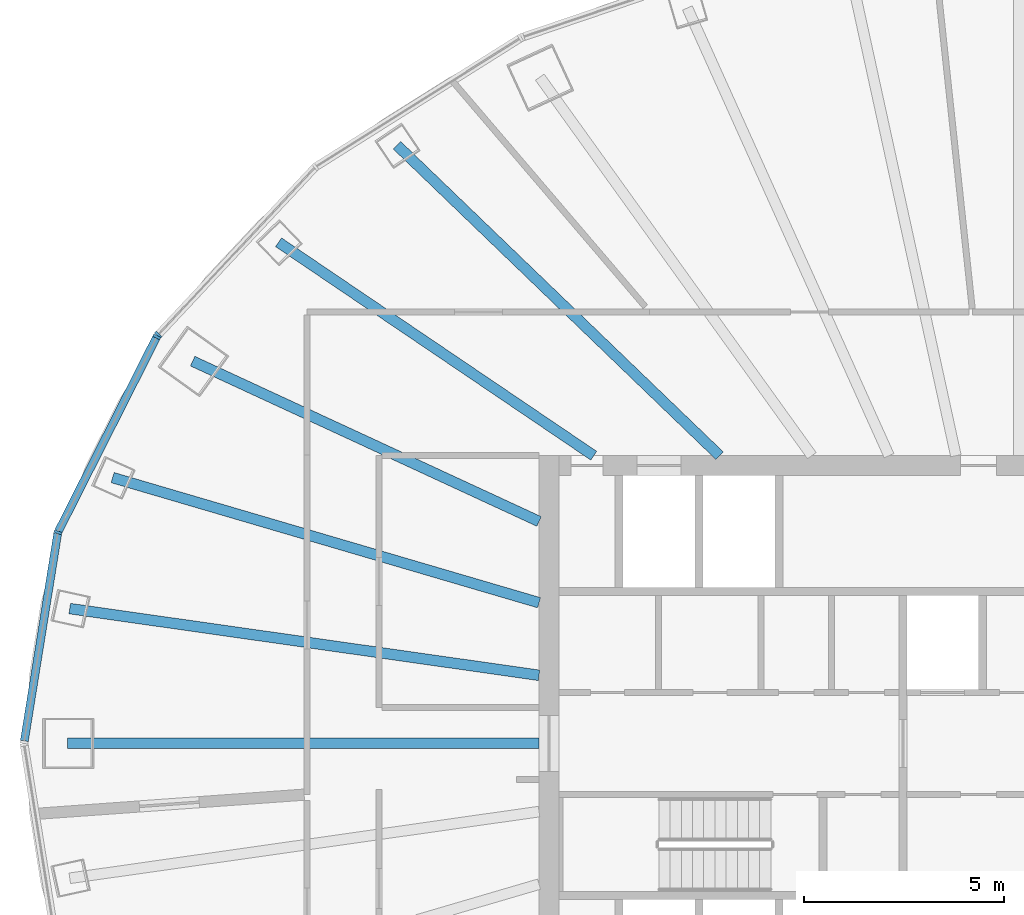
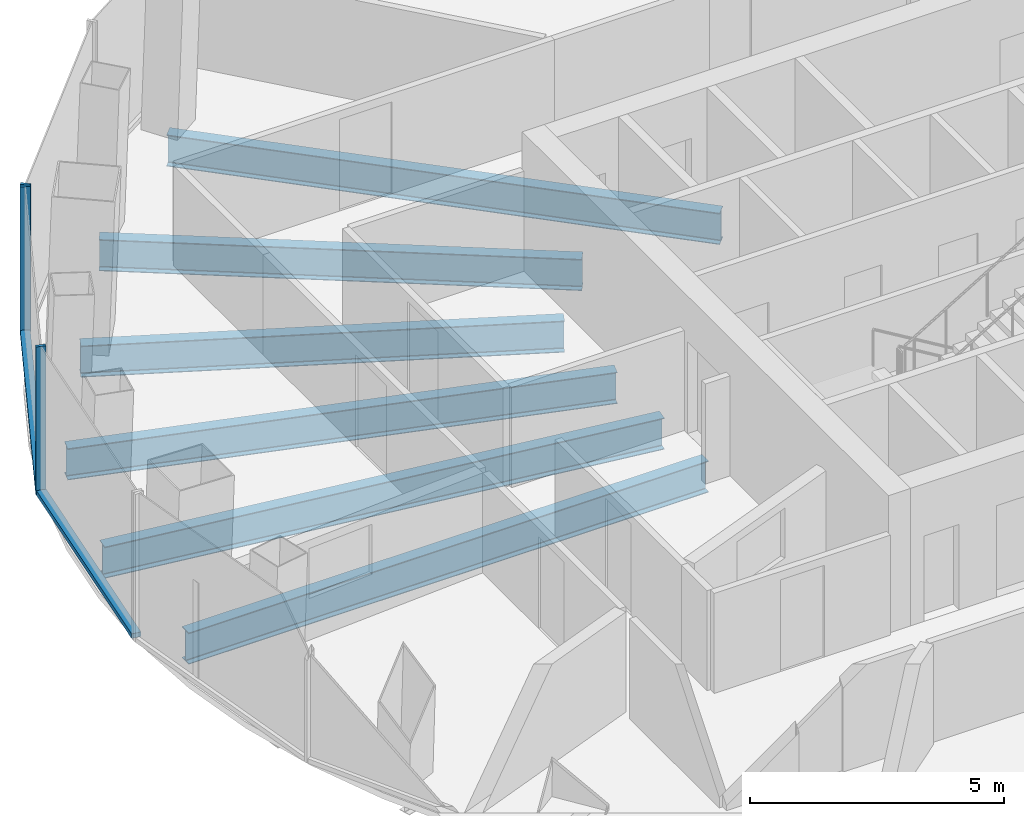
# One storey, part 3 of 12: 6 beams, 5 members, 2 elements without a shape of their own.
"""IFC4 building model written with IfcOpenShell, lengths in metres."""

import ifcopenshell
import ifcopenshell.guid

model = None  # the IFC model being written
_history = None  # IfcOwnerHistory: only IFC2X3 demands one
_inside = {}  # id of a spatial element -> (the spatial element, [elements in it])
_under = {}  # id of a project, library or spatial element -> (it, [spatial elements below it])
_declared = {}  # id of a project -> (the project, [libraries it declares])
_typed = {}  # id of a type object -> (the type object, [elements of that type])
_made_of = {}  # id of a material, layer set ... -> (it, [elements and type objects made of it])


def new_model(schema):
    """Start an empty IFC model of exactly this schema.

    Asked for "IFC4X3", IfcOpenShell would pick the latest addendum, in which some entities
    have other attributes; the version numbers below select the first issue.
    IFC2X3 requires an IfcOwnerHistory on every rooted entity: one is made here for all.
    """
    global model, _history
    if schema == "IFC4X3":
        model = ifcopenshell.file(schema_version=(4, 3, 0, 0))
    else:
        model = ifcopenshell.file(schema=schema)
    _inside.clear()
    _under.clear()
    _declared.clear()
    _typed.clear()
    _made_of.clear()
    _history = None
    if model.schema == "IFC2X3":
        org = make("IfcOrganization", Name="unknown")
        user = make(
            "IfcPersonAndOrganization",
            ThePerson=make("IfcPerson", FamilyName="unknown"),
            TheOrganization=org,
        )
        app = make(
            "IfcApplication",
            ApplicationDeveloper=org,
            Version="unknown",
            ApplicationFullName="unknown",
            ApplicationIdentifier="unknown",
        )
        _history = make(
            "IfcOwnerHistory",
            OwningUser=user,
            OwningApplication=app,
            ChangeAction="ADDED",
            CreationDate=0,
        )
    return model


def make(cls, **values):
    """One entity of the class cls with the attributes given. An attribute that is None is left unset."""
    return model.create_entity(
        cls, **{name: value for name, value in values.items() if value is not None}
    )


def rooted(cls, **values):
    """An entity with a GlobalId (a new one), such as an element, a storey or a relation."""
    return make(cls, GlobalId=ifcopenshell.guid.new(), OwnerHistory=_history, **values)


def si_unit(unit_type, name, prefix=None):
    """IfcSIUnit, for example si_unit("LENGTHUNIT", "METRE", prefix="MILLI")."""
    return make("IfcSIUnit", UnitType=unit_type, Prefix=prefix, Name=name)


def assignment(units):
    """IfcUnitAssignment: the units of a project."""
    return None if units is None else make("IfcUnitAssignment", Units=units)


def point(xyz):
    """IfcCartesianPoint."""
    return None if xyz is None else make("IfcCartesianPoint", Coordinates=xyz)


def direction(xyz):
    """IfcDirection."""
    return None if xyz is None else make("IfcDirection", DirectionRatios=xyz)


def frame(location, z_axis=None, x_axis=None):
    """IfcAxis2Placement3D, a coordinate frame: its origin and axes. An axis left out is left unset."""
    return make(
        "IfcAxis2Placement3D",
        Location=point(location),
        Axis=direction(z_axis),
        RefDirection=direction(x_axis),
    )


def frame_2d(location, x_axis=None):
    """IfcAxis2Placement2D, a coordinate frame in the plane: its origin and x axis."""
    return make(
        "IfcAxis2Placement2D", Location=point(location), RefDirection=direction(x_axis)
    )


def origin():
    """The frame at (0, 0, 0) with its axes left unset."""
    return frame((0.0, 0.0, 0.0))


def origin_2d():
    """The frame at (0, 0) in the plane with its x axis left unset."""
    return frame_2d((0.0, 0.0))


def place(relative_to, where):
    """IfcLocalPlacement: puts the frame where relative to a parent placement (None: the world)."""
    return make(
        "IfcLocalPlacement", PlacementRelTo=relative_to, RelativePlacement=where
    )


def context(
    kind, dimensions, precision=None, world=None, true_north=None, identifier=None
):
    """IfcGeometricRepresentationContext, for example the 3D "Model" context."""
    return make(
        "IfcGeometricRepresentationContext",
        ContextIdentifier=identifier,
        ContextType=kind,
        CoordinateSpaceDimension=dimensions,
        Precision=precision,
        WorldCoordinateSystem=world,
        TrueNorth=true_north,
    )


def subcontext(parent, identifier, kind, view, scale=None):
    """IfcGeometricRepresentationSubContext, for example "Body" below "Model"."""
    return make(
        "IfcGeometricRepresentationSubContext",
        ContextIdentifier=identifier,
        ContextType=kind,
        ParentContext=parent,
        TargetScale=scale,
        TargetView=view,
    )


def project(units=None, contexts=None):
    """IfcProject with its units and contexts."""
    return rooted(
        "IfcProject",
        Name="project",
        RepresentationContexts=contexts,
        UnitsInContext=assignment(units),
    )


def spatial(cls, under=None, at=None, **own):
    """A site, building, storey or space (cls), placed at a placement, below another one or the project."""
    s = rooted(cls, ObjectPlacement=at, **own)
    if under is not None:
        _under.setdefault(under.id(), (under, []))[1].append(s)
    return s


def profile(cls, at=None, kind="AREA", **sizes):
    """A parametric profile (cls). Its sizes go by their IFC names, for example OverallWidth=200.0."""
    return make(cls, ProfileType=kind, Position=at, **sizes)


def rectangle(**sizes):
    """IfcRectangleProfileDef."""
    return profile("IfcRectangleProfileDef", **sizes)


def i_section(**sizes):
    """IfcIShapeProfileDef."""
    return profile("IfcIShapeProfileDef", **sizes)


def extrude(swept, where, along, depth):
    """IfcExtrudedAreaSolid: the profile swept, set in the frame where, extruded along a direction by depth."""
    return make(
        "IfcExtrudedAreaSolid",
        SweptArea=swept,
        Position=where,
        ExtrudedDirection=direction(along),
        Depth=depth,
    )


def shape(context_of_items, identifier, shape_type, items):
    """IfcShapeRepresentation: the items that make up one representation, for example the "Body"."""
    return make(
        "IfcShapeRepresentation",
        ContextOfItems=context_of_items,
        RepresentationIdentifier=identifier,
        RepresentationType=shape_type,
        Items=items,
    )


def material(Name=None, Category=None):
    """IfcMaterial."""
    return make("IfcMaterial", Name=Name, Category=Category)


def layer(
    of_material, thickness, ventilated=None, Name=None, Category=None, Priority=None
):
    """IfcMaterialLayer: one layer of a wall or slab, of a material (None: an air gap)."""
    return make(
        "IfcMaterialLayer",
        Material=of_material,
        LayerThickness=thickness,
        IsVentilated=ventilated,
        Name=Name,
        Category=Category,
        Priority=Priority,
    )


def layer_set(layers, Name=None):
    """IfcMaterialLayerSet."""
    return make("IfcMaterialLayerSet", MaterialLayers=layers, LayerSetName=Name)


def material_profile(
    of_material, cross_section, Name=None, Category=None, Priority=None
):
    """IfcMaterialProfile: a cross section and its material."""
    return make(
        "IfcMaterialProfile",
        Name=Name,
        Material=of_material,
        Profile=cross_section,
        Priority=Priority,
        Category=Category,
    )


def profile_set(profiles, Name=None, composite=None):
    """IfcMaterialProfileSet."""
    return make(
        "IfcMaterialProfileSet",
        Name=Name,
        MaterialProfiles=profiles,
        CompositeProfile=composite,
    )


def made_of(thing, what):
    """Note that an element or type object is made of a material, layer set ...; save() writes the relation."""
    if what is not None:
        _made_of.setdefault(what.id(), (what, []))[1].append(thing)
    return thing


def type_object(cls, material=None, **own):
    """A type object (cls), such as IfcWallType, which elements share."""
    return made_of(rooted(cls, **own), material)


def element(
    cls,
    number,
    at=None,
    inside=None,
    cuts=None,
    type_object=None,
    material=None,
    context=None,
    identifier="Body",
    shape_type=None,
    held_by="IfcProductDefinitionShape",
    body=None,
    shapes=None,
    **own,
):
    """One element of the class cls, such as IfcWall. Its Tag is "e" and its number.

    at: its placement. inside: the storey or other place that contains it. cuts: it is an
    opening in that element (IfcRelVoidsElement). A single representation is given by context,
    identifier, shape_type and body (its items); several are given by shapes. held_by: the class
    of the entity that holds the representations. save() writes the other relations.
    """
    e = rooted(cls, Tag="e%d" % number, ObjectPlacement=at, **own)
    if body is not None:
        shapes = [shape(context, identifier, shape_type, body)]
    if shapes is not None:
        e.Representation = make(held_by, Representations=shapes)
    if inside is not None:
        _inside.setdefault(inside.id(), (inside, []))[1].append(e)
    if cuts is not None:
        rooted(
            "IfcRelVoidsElement", RelatingBuildingElement=cuts, RelatedOpeningElement=e
        )
    if type_object is not None:
        _typed.setdefault(type_object.id(), (type_object, []))[1].append(e)
    return made_of(e, material)


def aggregate(whole, parts):
    """IfcRelAggregates: a whole, such as a stair, and the parts it consists of."""
    return rooted("IfcRelAggregates", RelatingObject=whole, RelatedObjects=parts)


def save(model, path):
    """Write the relations noted so far, then the file.

    IfcRelAggregates (storeys below a building ...), IfcRelContainedInSpatialStructure (elements
    in a storey), IfcRelDefinesByType, IfcRelAssociatesMaterial and IfcRelDeclares: one each for
    every whole, place, type object, material and project.
    """
    for whole, parts in _under.values():
        aggregate(whole, parts)
    for where, things in _inside.values():
        rooted(
            "IfcRelContainedInSpatialStructure",
            RelatedElements=things,
            RelatingStructure=where,
        )
    for kind, things in _typed.values():
        rooted("IfcRelDefinesByType", RelatedObjects=things, RelatingType=kind)
    for what, things in _made_of.values():
        rooted("IfcRelAssociatesMaterial", RelatedObjects=things, RelatingMaterial=what)
    for by, libraries in _declared.values():
        rooted("IfcRelDeclares", RelatingContext=by, RelatedDefinitions=libraries)
    model.write(path)


model = new_model("IFC4")

# Units and contexts
model_context = context("Model", 3, precision=1e-05, world=origin(), true_north=direction((0.0, 1.0)))
body_context = subcontext(model_context, "Body", "Model", "MODEL_VIEW")
ifc_project = project(units=[si_unit("LENGTHUNIT", "METRE"), si_unit("AREAUNIT", "SQUARE_METRE"), si_unit("VOLUMEUNIT", "CUBIC_METRE"), si_unit("PLANEANGLEUNIT", "RADIAN"), si_unit("MASSUNIT", "GRAM", prefix="KILO")], contexts=[model_context])

# Site, building, storey
site_placement = place(None, origin())
site = spatial("IfcSite", under=ifc_project, at=site_placement, CompositionType="ELEMENT")
building_placement = place(site_placement, origin())
building = spatial("IfcBuilding", under=site, at=building_placement, Name="Siaravel Broadcast Tower", CompositionType="ELEMENT")
storey_placement = place(building_placement, frame((0.0, 0.0, 134.10009765625)))
storey = spatial("IfcBuildingStorey", under=building, at=storey_placement, Name="L32", CompositionType="ELEMENT", Elevation=134.10009765625)

# Beams
ifc_material_1 = material(Name="Steel S355", Category="steel")
ifc_material_profile_1 = material_profile(ifc_material_1, i_section(OverallWidth=0.26513671875, OverallDepth=0.75390625, WebThickness=0.0126953125, FlangeThickness=0.017578125, FilletRadius=0.0166015625, at=origin_2d()))
ifc_profile_set_1 = profile_set([ifc_material_profile_1], Name="Steel S355")
beam_type = type_object("IfcBeamType", Name="BM-UB 762x267x147", PredefinedType="BEAM", material=ifc_profile_set_1)
beam_1_placement = place(storey_placement, frame((-15.552978515625, 14.965576171875, -0.527099609375), z_axis=(0.720578335, -0.693373538, 0.0), x_axis=(0.693373538, 0.720578335, 0.0)))
element("IfcBeam", 1, at=beam_1_placement, inside=storey, type_object=beam_type, Name="Radial beam RB14", PredefinedType="BEAM", context=body_context, shape_type="SweptSolid", body=[
    extrude(i_section(OverallWidth=0.26513671875, OverallDepth=0.75390625, WebThickness=0.0126953125, FlangeThickness=0.017578125, FilletRadius=0.0166015625, at=origin_2d()), origin(), (0.0, 0.0, 1.0), 11.19970703125),
])
beam_2_placement = place(storey_placement, frame((-18.516357421875, 12.538330078125, -0.527099609375), z_axis=(0.82802046, -0.560697884, 0.0), x_axis=(0.560697884, 0.82802046, 0.0)))
element("IfcBeam", 2, at=beam_2_placement, inside=storey, type_object=beam_type, Name="Radial beam RB15", PredefinedType="BEAM", context=body_context, shape_type="SweptSolid", body=[
    extrude(i_section(OverallWidth=0.26513671875, OverallDepth=0.75390625, WebThickness=0.0126953125, FlangeThickness=0.017578125, FilletRadius=0.0166015625, at=origin_2d()), origin(), (0.0, 0.0, 1.0), 9.52099609375),
])
beam_3_placement = place(storey_placement, frame((-20.665771484375, 9.564697265625, -0.527099609375), z_axis=(0.907514375, -0.420021022, 0.0), x_axis=(0.420021022, 0.907514375, 0.0)))
element("IfcBeam", 3, at=beam_3_placement, inside=storey, type_object=beam_type, Name="Radial beam RB16", PredefinedType="BEAM", context=body_context, shape_type="SweptSolid", body=[
    extrude(i_section(OverallWidth=0.26513671875, OverallDepth=0.75390625, WebThickness=0.0126953125, FlangeThickness=0.017578125, FilletRadius=0.0166015625, at=origin_2d()), origin(), (0.0, 0.0, 1.0), 9.548828125),
])
beam_4_placement = place(storey_placement, frame((-22.668212890625, 6.651123046875, -0.527099609375), z_axis=(0.959549921, -0.281538539, 0.0), x_axis=(0.281538539, 0.959549921, 0.0)))
element("IfcBeam", 4, at=beam_4_placement, inside=storey, type_object=beam_type, Name="Radial beam RB17", PredefinedType="BEAM", context=body_context, shape_type="SweptSolid", body=[
    extrude(i_section(OverallWidth=0.26513671875, OverallDepth=0.75390625, WebThickness=0.0126953125, FlangeThickness=0.017578125, FilletRadius=0.0166015625, at=origin_2d()), origin(), (0.0, 0.0, 1.0), 11.117919921875),
])
beam_5_placement = place(storey_placement, frame((-23.740478515625, 3.37353515625, -0.527099609375), z_axis=(0.990052581, -0.140697859, 0.0), x_axis=(0.140697859, 0.990052581, 0.0)))
element("IfcBeam", 5, at=beam_5_placement, inside=storey, type_object=beam_type, Name="Radial beam RB18", PredefinedType="BEAM", context=body_context, shape_type="SweptSolid", body=[
    extrude(i_section(OverallWidth=0.26513671875, OverallDepth=0.75390625, WebThickness=0.0126953125, FlangeThickness=0.017578125, FilletRadius=0.0166015625, at=origin_2d()), origin(), (0.0, 0.0, 1.0), 11.8583984375),
])
beam_6_placement = place(storey_placement, frame((-23.801025390625, 0.0, -0.527099609375), z_axis=(1.0, 0.0, 0.0), x_axis=(0.0, 1.0, 0.0)))
element("IfcBeam", 6, at=beam_6_placement, inside=storey, type_object=beam_type, Name="Radial beam RB19", PredefinedType="BEAM", context=body_context, shape_type="SweptSolid", body=[
    extrude(i_section(OverallWidth=0.26513671875, OverallDepth=0.75390625, WebThickness=0.0126953125, FlangeThickness=0.017578125, FilletRadius=0.0166015625, at=origin_2d()), origin(), (0.0, 0.0, 1.0), 11.801025390625),
])

# Curtain wall, member
ifc_material_2 = material(Name="Aluminium 6063-T6", Category="aluminium")
ifc_layer = layer(ifc_material_2, 0.199951171875)
ifc_layer_set = layer_set([ifc_layer], Name="Aluminium 6063-T6")
curtain_wall_type = type_object("IfcCurtainWallType", Name="Unitised curtain wall, zone 2", PredefinedType="NOTDEFINED", material=ifc_layer_set)
curtain_wall_1_placement = place(storey_placement, origin())
curtain_wall_1 = element("IfcCurtainWall", 7, at=curtain_wall_1_placement, inside=storey, type_object=curtain_wall_type, Name="L32 Unitised curtain wall, zone 2 05", PredefinedType="NOTDEFINED")
ifc_material_profile_2 = material_profile(ifc_material_2, rectangle(XDim=0.199951171875, YDim=0.06494140625, at=origin_2d()))
ifc_profile_set_2 = profile_set([ifc_material_profile_2], Name="Aluminium 6063-T6")
member_type_1 = type_object("IfcMemberType", Name="CW-Z2 mullion", PredefinedType="MULLION", material=ifc_profile_set_2)
member_1_placement = place(storey_placement, frame((-21.528076171875, 10.224609375, 0.0), z_axis=(0.0, 0.0, 1.0), x_axis=(0.729806913, -0.683653326, 0.0)))
member_1 = element("IfcMember", 8, at=member_1_placement, type_object=member_type_1, Name="CW-Z2 mullion 3", PredefinedType="MULLION", context=body_context, shape_type="SweptSolid", body=[
    extrude(rectangle(XDim=0.199951171875, YDim=0.06494140625, at=origin_2d()), origin(), (0.0, 0.0, 1.0), 3.5498046875),
])
aggregate(curtain_wall_1, [member_1])

# Curtain wall, members
curtain_wall_2_placement = place(storey_placement, origin())
curtain_wall_2 = element("IfcCurtainWall", 9, at=curtain_wall_2_placement, inside=storey, type_object=curtain_wall_type, Name="L32 Unitised curtain wall, zone 2 06", PredefinedType="NOTDEFINED")
member_2_placement = place(storey_placement, frame((-21.56494140625, 10.172119140625, 0.0), z_axis=(0.0, 0.0, 1.0), x_axis=(0.892392954, -0.451259145, 0.0)))
member_2 = element("IfcMember", 10, at=member_2_placement, type_object=member_type_1, Name="CW-Z2 mullion 1", PredefinedType="MULLION", context=body_context, shape_type="SweptSolid", body=[
    extrude(rectangle(XDim=0.199951171875, YDim=0.06494140625, at=origin_2d()), origin(), (0.0, 0.0, 1.0), 3.5498046875),
])
member_3_placement = place(storey_placement, frame((-24.0380859375, 5.281005859375, 0.0), z_axis=(0.0, 0.0, 1.0), x_axis=(0.951177626, -0.308644007, 0.0)))
member_3 = element("IfcMember", 11, at=member_3_placement, type_object=member_type_1, Name="CW-Z2 mullion 2", PredefinedType="MULLION", context=body_context, shape_type="SweptSolid", body=[
    extrude(rectangle(XDim=0.199951171875, YDim=0.06494140625, at=origin_2d()), origin(), (0.0, 0.0, 1.0), 3.5498046875),
])
ifc_material_profile_3 = material_profile(ifc_material_2, rectangle(XDim=0.199951171875, YDim=0.110107421875, at=origin_2d()))
ifc_profile_set_3 = profile_set([ifc_material_profile_3], Name="Aluminium 6063-T6")
member_type_2 = type_object("IfcMemberType", Name="CW-Z2 transom", PredefinedType="USERDEFINED", material=ifc_profile_set_3)
member_4_placement = place(storey_placement, frame((-21.57958984375, 10.14306640625, 0.054931640625), z_axis=(-0.45124818, -0.892398498, 0.0), x_axis=(0.892398498, -0.45124818, 0.0)))
member_4 = element("IfcMember", 12, at=member_4_placement, type_object=member_type_2, Name="CW-Z2 transom 1", ObjectType="TRANSOM", PredefinedType="USERDEFINED", context=body_context, shape_type="SweptSolid", body=[
    extrude(rectangle(XDim=0.199951171875, YDim=0.110107421875, at=origin_2d()), origin(), (0.0, 0.0, 1.0), 5.415771484375),
])
member_5_placement = place(storey_placement, frame((-24.043212890625, 5.248779296875, 0.054931640625), z_axis=(-0.158726655, -0.987322566, 0.0), x_axis=(0.987322566, -0.158726655, 0.0)))
member_5 = element("IfcMember", 13, at=member_5_placement, type_object=member_type_2, Name="CW-Z2 transom 2", ObjectType="TRANSOM", PredefinedType="USERDEFINED", context=body_context, shape_type="SweptSolid", body=[
    extrude(rectangle(XDim=0.199951171875, YDim=0.110107421875, at=origin_2d()), origin(), (0.0, 0.0, 1.0), 5.251220703125),
])
aggregate(curtain_wall_2, [member_2, member_3, member_4, member_5])

save(model, "model.ifc")
